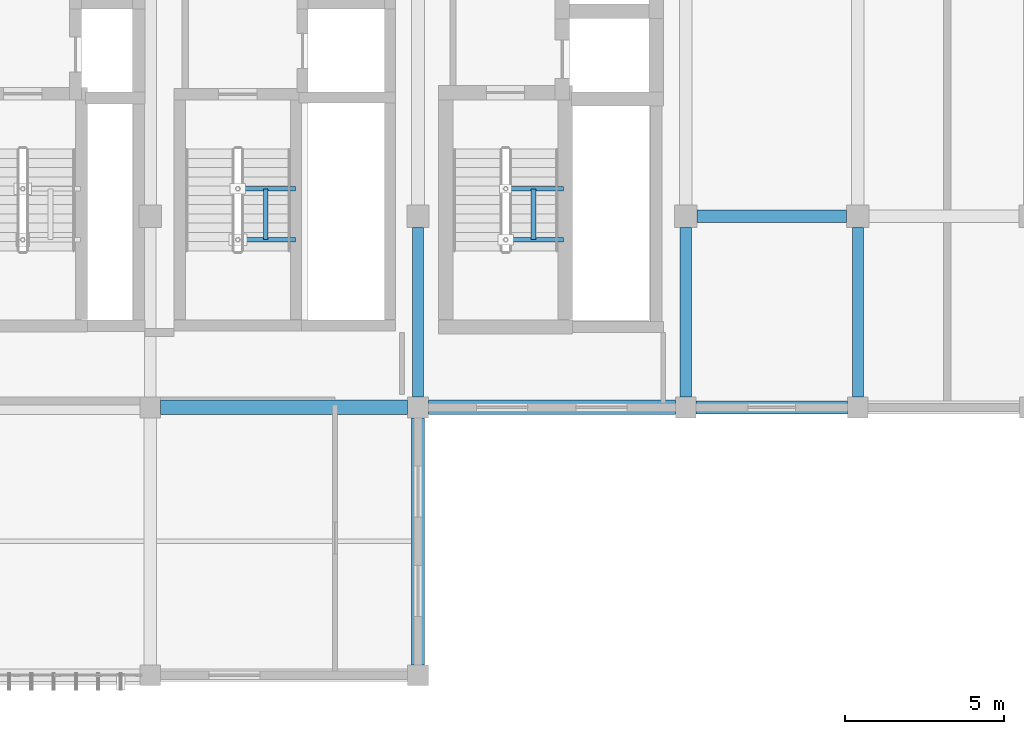
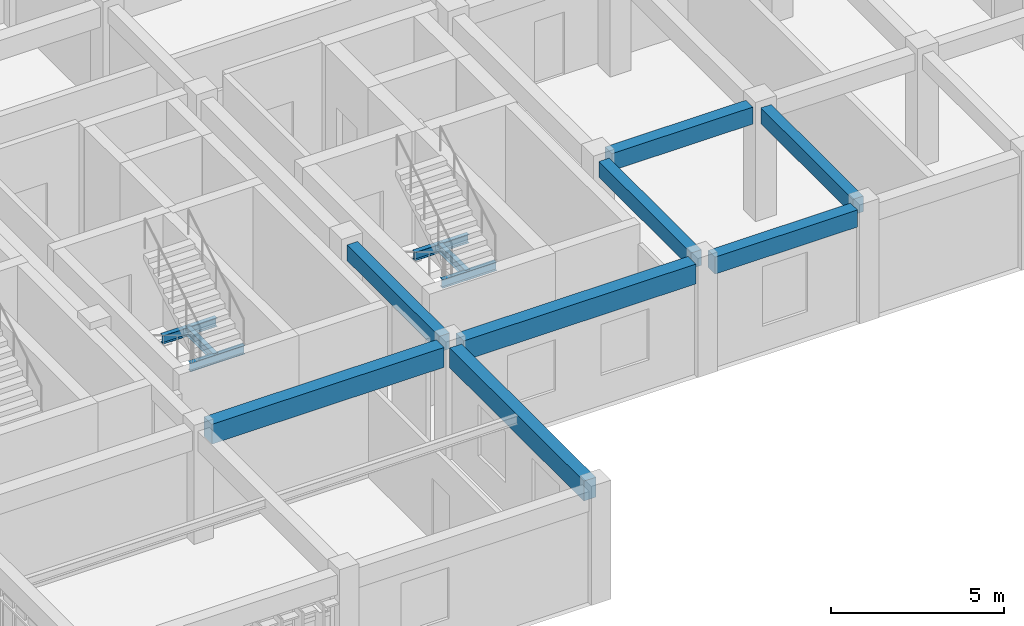
# One storey, part 8 of 22: 14 beams.
"""IFC4 building model written with IfcOpenShell, lengths in metres."""

from ifc_helpers import new_model, si_unit, direction, frame, origin, origin_2d, place, context, subcontext, project, spatial, rectangle, i_section, extrude, material, material_profile, profile_set, type_object, element, save


model = new_model("IFC4")

# Units and contexts
model_context = context("Model", 3, precision=1e-05, world=origin(), true_north=direction((0.0, 1.0)))
body_context = subcontext(model_context, "Body", "Model", "MODEL_VIEW")
ifc_project = project(units=[si_unit("LENGTHUNIT", "METRE"), si_unit("AREAUNIT", "SQUARE_METRE"), si_unit("VOLUMEUNIT", "CUBIC_METRE"), si_unit("PLANEANGLEUNIT", "RADIAN"), si_unit("MASSUNIT", "GRAM", prefix="KILO")], contexts=[model_context])

# Site, building, storey
site_placement = place(None, origin())
site = spatial("IfcSite", under=ifc_project, at=site_placement, CompositionType="ELEMENT")
building_placement = place(site_placement, origin())
building = spatial("IfcBuilding", under=site, at=building_placement, Name="Krzemoval Escarpment Law Courts", CompositionType="ELEMENT")
storey_placement = place(building_placement, frame((0.0, 0.0, 29.39990234375)))
storey = spatial("IfcBuildingStorey", under=building, at=storey_placement, Name="L06", CompositionType="ELEMENT", Elevation=29.39990234375)

# Beams
ifc_material_1 = material(Name="Concrete C40/50", Category="concrete")
ifc_material_profile_1 = material_profile(ifc_material_1, rectangle(XDim=0.35009765625, YDim=0.550048828125, at=origin_2d()), Name="RCB 350x550")
ifc_profile_set_1 = profile_set([ifc_material_profile_1], Name="Concrete C40/50")
beam_type_1 = type_object("IfcBeamType", Name="BM-RC-350x550", PredefinedType="BEAM", material=ifc_profile_set_1)
for number, where, z_axis, x_axis, name in (
    (1, (142.800048828125, 93.925048828125, 3.675048828125), (0.0, 1.0, 0.0), (-1.0, 0.0, 0.0), "Beam FG-L06-2671"),
    (2, (151.199951171875, 93.925048828125, 3.675048828125), (0.0, 1.0, 0.0), (-1.0, 0.0, 0.0), "Beam FG-L06-2675"),
    (3, (156.60009765625, 93.925048828125, 3.675048828125), (0.0, 1.0, 0.0), (-1.0, 0.0, 0.0), "Beam FG-L06-2679"),
):
    element("IfcBeam", number, at=place(storey_placement, frame(where, z_axis=z_axis, x_axis=x_axis)), inside=storey, type_object=beam_type_1, Name=name, PredefinedType="BEAM", context=body_context, shape_type="SweptSolid", body=[
        extrude(rectangle(XDim=0.35009765625, YDim=0.550048828125, at=origin_2d()), origin(), (0.0, 0.0, 1.0), 5.324951171875),
    ])
ifc_material_2 = material(Name="Concrete C40/50", Category="concrete")
ifc_material_profile_2 = material_profile(ifc_material_2, rectangle(XDim=0.39990234375, YDim=0.60009765625, at=origin_2d()), Name="RCB 400x600")
ifc_profile_set_2 = profile_set([ifc_material_profile_2], Name="Concrete C40/50")
beam_type_2 = type_object("IfcBeamType", Name="BM-RC-400x600", PredefinedType="BEAM", material=ifc_profile_set_2)
beam_1_placement = place(storey_placement, frame((151.52490234375, 93.60009765625, 3.650146484375), z_axis=(1.0, 0.0, 0.0), x_axis=(0.0, 1.0, 0.0)))
element("IfcBeam", 4, at=beam_1_placement, inside=storey, type_object=beam_type_2, Name="Beam FG-L06-2639", PredefinedType="BEAM", context=body_context, shape_type="SweptSolid", body=[
    extrude(rectangle(XDim=0.39990234375, YDim=0.60009765625, at=origin_2d()), origin(), (0.0, 0.0, 1.0), 4.75),
])
beam_2_placement = place(storey_placement, frame((151.550048828125, 99.60009765625, 3.650146484375), z_axis=(1.0, 0.0, 0.0), x_axis=(0.0, 1.0, 0.0)))
element("IfcBeam", 5, at=beam_2_placement, inside=storey, type_object=beam_type_2, Name="Beam FG-L06-2642", PredefinedType="BEAM", context=body_context, shape_type="SweptSolid", body=[
    extrude(rectangle(XDim=0.39990234375, YDim=0.60009765625, at=origin_2d()), origin(), (0.0, 0.0, 1.0), 4.699951171875),
])
ifc_material_3 = material(Name="Concrete C40/50", Category="concrete")
ifc_material_profile_3 = material_profile(ifc_material_3, rectangle(XDim=0.39990234375, YDim=0.699951171875, at=origin_2d()), Name="RCB 400x700")
ifc_profile_set_3 = profile_set([ifc_material_profile_3], Name="Concrete C40/50")
beam_type_3 = type_object("IfcBeamType", Name="BM-RC-400x700", PredefinedType="BEAM", material=ifc_profile_set_3)
beam_3_placement = place(storey_placement, frame((142.800048828125, 85.52490234375, 3.60009765625), z_axis=(0.0, 1.0, 0.0), x_axis=(-1.0, 0.0, 0.0)))
element("IfcBeam", 6, at=beam_3_placement, inside=storey, type_object=beam_type_3, Name="Beam FG-L06-2670", PredefinedType="BEAM", context=body_context, shape_type="SweptSolid", body=[
    extrude(rectangle(XDim=0.39990234375, YDim=0.699951171875, at=origin_2d()), origin(), (0.0, 0.0, 1.0), 7.75),
])
ifc_material_4 = material(Name="Concrete C40/50", Category="concrete")
ifc_material_profile_4 = material_profile(ifc_material_4, rectangle(XDim=0.449951171875, YDim=0.699951171875, at=origin_2d()), Name="RCB 450x700")
ifc_profile_set_4 = profile_set([ifc_material_profile_4], Name="Concrete C40/50")
beam_type_4 = type_object("IfcBeamType", Name="BM-RC-450x700", PredefinedType="BEAM", material=ifc_profile_set_4)
for number, where, z_axis, x_axis, name in (
    (7, (134.72509765625, 93.60009765625, 3.60009765625), (1.0, 0.0, 0.0), (0.0, 1.0, 0.0), "Beam FG-L06-2637"),
    (8, (143.125, 93.60009765625, 3.60009765625), (1.0, 0.0, 0.0), (0.0, 1.0, 0.0), "Beam FG-L06-2638"),
):
    element("IfcBeam", number, at=place(storey_placement, frame(where, z_axis=z_axis, x_axis=x_axis)), inside=storey, type_object=beam_type_4, Name=name, PredefinedType="BEAM", context=body_context, shape_type="SweptSolid", body=[
        extrude(rectangle(XDim=0.449951171875, YDim=0.699951171875, at=origin_2d()), origin(), (0.0, 0.0, 1.0), 7.75),
    ])
ifc_material_5 = material(Name="Steel S355", Category="steel")
ifc_material_profile_5 = material_profile(ifc_material_5, i_section(OverallWidth=0.14990234375, OverallDepth=0.300048828125, WebThickness=0.007080078125, FlangeThickness=0.0107421875, at=origin_2d()), Name="IPE 300")
ifc_profile_set_5 = profile_set([ifc_material_profile_5], Name="Steel S355")
beam_type_5 = type_object("IfcBeamType", Name="JST-S355-IPE300", PredefinedType="JOIST", material=ifc_profile_set_5)
for number, where, z_axis, x_axis, name in (
    (9, (137.14990234375, 98.860107421875, 1.820068359375), (1.0, 0.0, 0.0), (0.0, 1.0, 0.0), "Stair Well Crosshead SLHW-C2-L06-1"),
    (10, (137.14990234375, 100.4599609375, 1.820068359375), (1.0, 0.0, 0.0), (0.0, 1.0, 0.0), "Stair Well Crosshead SLHW-C2-L06-2"),
):
    element("IfcBeam", number, at=place(storey_placement, frame(where, z_axis=z_axis, x_axis=x_axis)), inside=storey, type_object=beam_type_5, Name=name, PredefinedType="JOIST", context=body_context, shape_type="SweptSolid", body=[
        extrude(i_section(OverallWidth=0.14990234375, OverallDepth=0.300048828125, WebThickness=0.007080078125, FlangeThickness=0.0107421875, at=origin_2d()), origin(), (0.0, 0.0, 1.0), 1.81005859375),
    ])
beam_4_placement = place(storey_placement, frame((138.02490234375, 98.860107421875, 1.820068359375), z_axis=(0.0, 1.0, 0.0), x_axis=(-1.0, 0.0, 0.0)))
element("IfcBeam", 11, at=beam_4_placement, inside=storey, type_object=beam_type_5, Name="Stair Flight Support Stringer SLTW-C2-L06", PredefinedType="JOIST", context=body_context, shape_type="SweptSolid", body=[
    extrude(i_section(OverallWidth=0.14990234375, OverallDepth=0.300048828125, WebThickness=0.007080078125, FlangeThickness=0.0107421875, at=origin_2d()), origin(), (0.0, 0.0, 1.0), 1.599853515625),
])
for number, where, z_axis, x_axis, name in (
    (12, (145.550048828125, 98.860107421875, 1.820068359375), (1.0, 0.0, 0.0), (0.0, 1.0, 0.0), "Stair Well Crosshead SLHW-C3-L06-1"),
    (13, (145.550048828125, 100.4599609375, 1.820068359375), (1.0, 0.0, 0.0), (0.0, 1.0, 0.0), "Stair Well Crosshead SLHW-C3-L06-2"),
):
    element("IfcBeam", number, at=place(storey_placement, frame(where, z_axis=z_axis, x_axis=x_axis)), inside=storey, type_object=beam_type_5, Name=name, PredefinedType="JOIST", context=body_context, shape_type="SweptSolid", body=[
        extrude(i_section(OverallWidth=0.14990234375, OverallDepth=0.300048828125, WebThickness=0.007080078125, FlangeThickness=0.0107421875, at=origin_2d()), origin(), (0.0, 0.0, 1.0), 1.81005859375),
    ])
beam_5_placement = place(storey_placement, frame((146.425048828125, 98.860107421875, 1.820068359375), z_axis=(0.0, 1.0, 0.0), x_axis=(-1.0, 0.0, 0.0)))
element("IfcBeam", 14, at=beam_5_placement, inside=storey, type_object=beam_type_5, Name="Stair Flight Support Stringer SLTW-C3-L06", PredefinedType="JOIST", context=body_context, shape_type="SweptSolid", body=[
    extrude(i_section(OverallWidth=0.14990234375, OverallDepth=0.300048828125, WebThickness=0.007080078125, FlangeThickness=0.0107421875, at=origin_2d()), origin(), (0.0, 0.0, 1.0), 1.599853515625),
])

save(model, "model.ifc")
